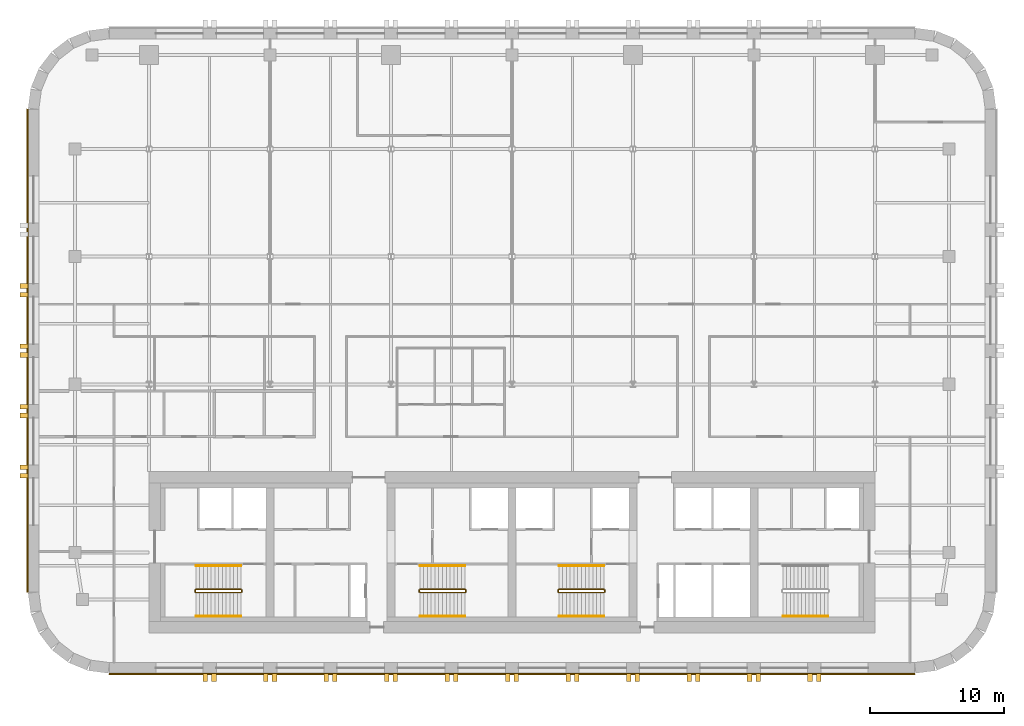
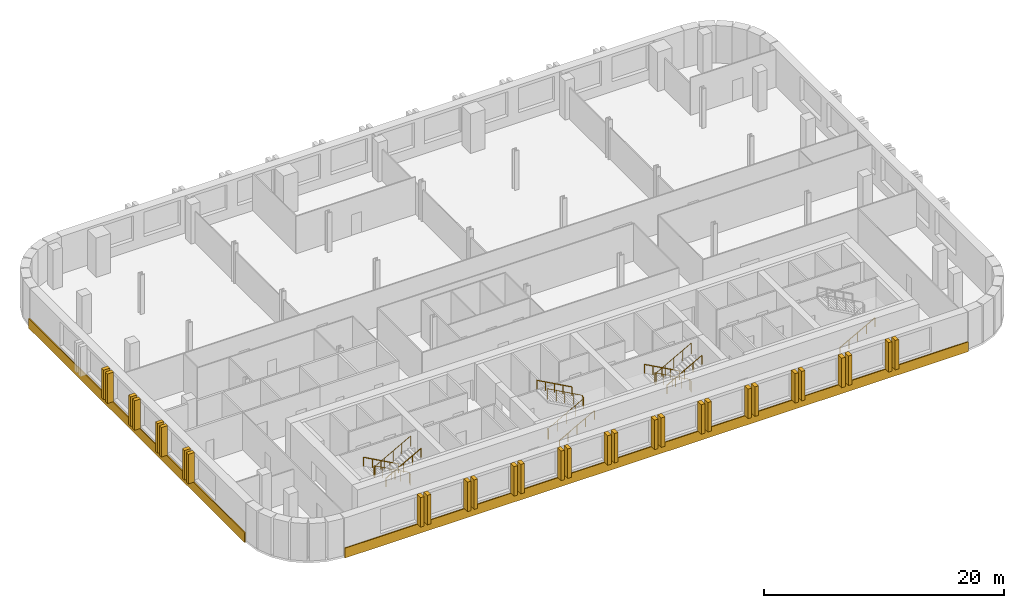
# One storey, part 9 of 10: 32 coverings, 10 railings.
"""IFC4 building model written with IfcOpenShell, lengths in metres."""

import ifcopenshell
import ifcopenshell.guid

model = None  # the IFC model being written
_history = None  # IfcOwnerHistory: only IFC2X3 demands one
_inside = {}  # id of a spatial element -> (the spatial element, [elements in it])
_under = {}  # id of a project, library or spatial element -> (it, [spatial elements below it])
_declared = {}  # id of a project -> (the project, [libraries it declares])
_typed = {}  # id of a type object -> (the type object, [elements of that type])
_made_of = {}  # id of a material, layer set ... -> (it, [elements and type objects made of it])


def new_model(schema):
    """Start an empty IFC model of exactly this schema.

    Asked for "IFC4X3", IfcOpenShell would pick the latest addendum, in which some entities
    have other attributes; the version numbers below select the first issue.
    IFC2X3 requires an IfcOwnerHistory on every rooted entity: one is made here for all.
    """
    global model, _history
    if schema == "IFC4X3":
        model = ifcopenshell.file(schema_version=(4, 3, 0, 0))
    else:
        model = ifcopenshell.file(schema=schema)
    _inside.clear()
    _under.clear()
    _declared.clear()
    _typed.clear()
    _made_of.clear()
    _history = None
    if model.schema == "IFC2X3":
        org = make("IfcOrganization", Name="unknown")
        user = make(
            "IfcPersonAndOrganization",
            ThePerson=make("IfcPerson", FamilyName="unknown"),
            TheOrganization=org,
        )
        app = make(
            "IfcApplication",
            ApplicationDeveloper=org,
            Version="unknown",
            ApplicationFullName="unknown",
            ApplicationIdentifier="unknown",
        )
        _history = make(
            "IfcOwnerHistory",
            OwningUser=user,
            OwningApplication=app,
            ChangeAction="ADDED",
            CreationDate=0,
        )
    return model


def make(cls, **values):
    """One entity of the class cls with the attributes given. An attribute that is None is left unset."""
    return model.create_entity(
        cls, **{name: value for name, value in values.items() if value is not None}
    )


def rooted(cls, **values):
    """An entity with a GlobalId (a new one), such as an element, a storey or a relation."""
    return make(cls, GlobalId=ifcopenshell.guid.new(), OwnerHistory=_history, **values)


def si_unit(unit_type, name, prefix=None):
    """IfcSIUnit, for example si_unit("LENGTHUNIT", "METRE", prefix="MILLI")."""
    return make("IfcSIUnit", UnitType=unit_type, Prefix=prefix, Name=name)


def assignment(units):
    """IfcUnitAssignment: the units of a project."""
    return None if units is None else make("IfcUnitAssignment", Units=units)


def point(xyz):
    """IfcCartesianPoint."""
    return None if xyz is None else make("IfcCartesianPoint", Coordinates=xyz)


def direction(xyz):
    """IfcDirection."""
    return None if xyz is None else make("IfcDirection", DirectionRatios=xyz)


def frame(location, z_axis=None, x_axis=None):
    """IfcAxis2Placement3D, a coordinate frame: its origin and axes. An axis left out is left unset."""
    return make(
        "IfcAxis2Placement3D",
        Location=point(location),
        Axis=direction(z_axis),
        RefDirection=direction(x_axis),
    )


def frame_2d(location, x_axis=None):
    """IfcAxis2Placement2D, a coordinate frame in the plane: its origin and x axis."""
    return make(
        "IfcAxis2Placement2D", Location=point(location), RefDirection=direction(x_axis)
    )


def origin():
    """The frame at (0, 0, 0) with its axes left unset."""
    return frame((0.0, 0.0, 0.0))


def origin_2d():
    """The frame at (0, 0) in the plane with its x axis left unset."""
    return frame_2d((0.0, 0.0))


def place(relative_to, where):
    """IfcLocalPlacement: puts the frame where relative to a parent placement (None: the world)."""
    return make(
        "IfcLocalPlacement", PlacementRelTo=relative_to, RelativePlacement=where
    )


def context(
    kind, dimensions, precision=None, world=None, true_north=None, identifier=None
):
    """IfcGeometricRepresentationContext, for example the 3D "Model" context."""
    return make(
        "IfcGeometricRepresentationContext",
        ContextIdentifier=identifier,
        ContextType=kind,
        CoordinateSpaceDimension=dimensions,
        Precision=precision,
        WorldCoordinateSystem=world,
        TrueNorth=true_north,
    )


def subcontext(parent, identifier, kind, view, scale=None):
    """IfcGeometricRepresentationSubContext, for example "Body" below "Model"."""
    return make(
        "IfcGeometricRepresentationSubContext",
        ContextIdentifier=identifier,
        ContextType=kind,
        ParentContext=parent,
        TargetScale=scale,
        TargetView=view,
    )


def project(units=None, contexts=None):
    """IfcProject with its units and contexts."""
    return rooted(
        "IfcProject",
        Name="project",
        RepresentationContexts=contexts,
        UnitsInContext=assignment(units),
    )


def spatial(cls, under=None, at=None, **own):
    """A site, building, storey or space (cls), placed at a placement, below another one or the project."""
    s = rooted(cls, ObjectPlacement=at, **own)
    if under is not None:
        _under.setdefault(under.id(), (under, []))[1].append(s)
    return s


def polyline(points):
    """IfcPolyline through the points."""
    return make("IfcPolyline", Points=[point(p) for p in points])


def profile(cls, at=None, kind="AREA", **sizes):
    """A parametric profile (cls). Its sizes go by their IFC names, for example OverallWidth=200.0."""
    return make(cls, ProfileType=kind, Position=at, **sizes)


def circle(**sizes):
    """IfcCircleProfileDef."""
    return profile("IfcCircleProfileDef", **sizes)


def outline(outer, holes=None, kind="AREA"):
    """IfcArbitraryClosedProfileDef: a profile drawn as a closed curve; with holes, ...WithVoids."""
    if holes is None:
        return make("IfcArbitraryClosedProfileDef", ProfileType=kind, OuterCurve=outer)
    return make(
        "IfcArbitraryProfileDefWithVoids",
        ProfileType=kind,
        OuterCurve=outer,
        InnerCurves=holes,
    )


def extrude(swept, where, along, depth):
    """IfcExtrudedAreaSolid: the profile swept, set in the frame where, extruded along a direction by depth."""
    return make(
        "IfcExtrudedAreaSolid",
        SweptArea=swept,
        Position=where,
        ExtrudedDirection=direction(along),
        Depth=depth,
    )


def shape(context_of_items, identifier, shape_type, items):
    """IfcShapeRepresentation: the items that make up one representation, for example the "Body"."""
    return make(
        "IfcShapeRepresentation",
        ContextOfItems=context_of_items,
        RepresentationIdentifier=identifier,
        RepresentationType=shape_type,
        Items=items,
    )


def material(Name=None, Category=None):
    """IfcMaterial."""
    return make("IfcMaterial", Name=Name, Category=Category)


def layer(
    of_material, thickness, ventilated=None, Name=None, Category=None, Priority=None
):
    """IfcMaterialLayer: one layer of a wall or slab, of a material (None: an air gap)."""
    return make(
        "IfcMaterialLayer",
        Material=of_material,
        LayerThickness=thickness,
        IsVentilated=ventilated,
        Name=Name,
        Category=Category,
        Priority=Priority,
    )


def layer_set(layers, Name=None):
    """IfcMaterialLayerSet."""
    return make("IfcMaterialLayerSet", MaterialLayers=layers, LayerSetName=Name)


def made_of(thing, what):
    """Note that an element or type object is made of a material, layer set ...; save() writes the relation."""
    if what is not None:
        _made_of.setdefault(what.id(), (what, []))[1].append(thing)
    return thing


def type_object(cls, material=None, **own):
    """A type object (cls), such as IfcWallType, which elements share."""
    return made_of(rooted(cls, **own), material)


def element(
    cls,
    number,
    at=None,
    inside=None,
    cuts=None,
    type_object=None,
    material=None,
    context=None,
    identifier="Body",
    shape_type=None,
    held_by="IfcProductDefinitionShape",
    body=None,
    shapes=None,
    **own,
):
    """One element of the class cls, such as IfcWall. Its Tag is "e" and its number.

    at: its placement. inside: the storey or other place that contains it. cuts: it is an
    opening in that element (IfcRelVoidsElement). A single representation is given by context,
    identifier, shape_type and body (its items); several are given by shapes. held_by: the class
    of the entity that holds the representations. save() writes the other relations.
    """
    e = rooted(cls, Tag="e%d" % number, ObjectPlacement=at, **own)
    if body is not None:
        shapes = [shape(context, identifier, shape_type, body)]
    if shapes is not None:
        e.Representation = make(held_by, Representations=shapes)
    if inside is not None:
        _inside.setdefault(inside.id(), (inside, []))[1].append(e)
    if cuts is not None:
        rooted(
            "IfcRelVoidsElement", RelatingBuildingElement=cuts, RelatedOpeningElement=e
        )
    if type_object is not None:
        _typed.setdefault(type_object.id(), (type_object, []))[1].append(e)
    return made_of(e, material)


def aggregate(whole, parts):
    """IfcRelAggregates: a whole, such as a stair, and the parts it consists of."""
    return rooted("IfcRelAggregates", RelatingObject=whole, RelatedObjects=parts)


def save(model, path):
    """Write the relations noted so far, then the file.

    IfcRelAggregates (storeys below a building ...), IfcRelContainedInSpatialStructure (elements
    in a storey), IfcRelDefinesByType, IfcRelAssociatesMaterial and IfcRelDeclares: one each for
    every whole, place, type object, material and project.
    """
    for whole, parts in _under.values():
        aggregate(whole, parts)
    for where, things in _inside.values():
        rooted(
            "IfcRelContainedInSpatialStructure",
            RelatedElements=things,
            RelatingStructure=where,
        )
    for kind, things in _typed.values():
        rooted("IfcRelDefinesByType", RelatedObjects=things, RelatingType=kind)
    for what, things in _made_of.values():
        rooted("IfcRelAssociatesMaterial", RelatedObjects=things, RelatingMaterial=what)
    for by, libraries in _declared.values():
        rooted("IfcRelDeclares", RelatingContext=by, RelatedDefinitions=libraries)
    model.write(path)


model = new_model("IFC4")

# Units and contexts
model_context = context("Model", 3, precision=1e-05, world=origin(), true_north=direction((0.0, 1.0)))
body_context = subcontext(model_context, "Body", "Model", "MODEL_VIEW")
ifc_project = project(units=[si_unit("LENGTHUNIT", "METRE"), si_unit("AREAUNIT", "SQUARE_METRE"), si_unit("VOLUMEUNIT", "CUBIC_METRE"), si_unit("PLANEANGLEUNIT", "RADIAN"), si_unit("MASSUNIT", "GRAM", prefix="KILO")], contexts=[model_context])

# Site, building, storey
site_placement = place(None, origin())
site = spatial("IfcSite", under=ifc_project, at=site_placement, CompositionType="ELEMENT")
building_placement = place(site_placement, origin())
building = spatial("IfcBuilding", under=site, at=building_placement, Name="Zellij Exchange Tower", CompositionType="ELEMENT")
storey_placement = place(building_placement, frame((0.0, 0.0, 192.5)))
storey = spatial("IfcBuildingStorey", under=building, at=storey_placement, Name="L44", CompositionType="ELEMENT", Elevation=192.5)

# Railings
ifc_material_1 = material(Name="Stainless steel", Category="steel")
railing_type_1 = type_object("IfcRailingType", Name="CORE-RG stair guard", PredefinedType="GUARDRAIL", material=ifc_material_1)
railing_1_placement = place(storey_placement, frame((-20.10009765625, -10.800048828125, 0.0)))
element("IfcRailing", 1, at=railing_1_placement, inside=storey, type_object=railing_type_1, Name="ST1 stair guard L44", PredefinedType="GUARDRAIL", context=body_context, shape_type="SweptSolid", body=[
    extrude(circle(Radius=0.02392578125, at=origin_2d()), frame((0.0, 0.0, 1.076171875), z_axis=(0.0, -1.0, 0.0), x_axis=(1.0, 0.0, 0.0)), (0.0, 0.0, 1.0), 0.14990234375),
    extrude(circle(Radius=0.02392578125, at=origin_2d()), frame((0.0, -0.14990234375, 1.076171875), z_axis=(-0.193691321961, 0.777613689637, 0.598164376644), x_axis=(-0.970351222016, -0.241699205484, 0.0)), (0.0, 0.0, 1.0), 0.257080078125),
    extrude(circle(Radius=0.02392578125, at=origin_2d()), frame((-0.0498046875, 0.050048828125, 1.22998046875), z_axis=(-0.876421534553, 0.0, 0.481544695509), x_axis=(0.0, -1.0, 0.0)), (0.0, 0.0, 1.0), 3.833984375),
    extrude(circle(Radius=0.02392578125, at=origin_2d()), frame((-3.409912109375, 0.050048828125, 3.076171875), z_axis=(-0.707106781187, -0.707106781187, 0.0), x_axis=(0.707106781187, -0.707106781187, 0.0)), (0.0, 0.0, 1.0), 0.07080078125),
    extrude(circle(Radius=0.02392578125, at=origin_2d()), frame((-3.4599609375, 0.0, 3.076171875), z_axis=(0.0, -1.0, 0.0), x_axis=(1.0, 0.0, 0.0)), (0.0, 0.0, 1.0), 0.14990234375),
    extrude(circle(Radius=0.02392578125, at=origin_2d()), frame((-3.4599609375, -0.14990234375, 3.076171875), z_axis=(0.295599637079, -0.295599637079, 0.908428152975), x_axis=(0.707106781187, 0.707106781187, 0.0)), (0.0, 0.0, 1.0), 0.16943359375),
    extrude(circle(Radius=0.02392578125, at=origin_2d()), frame((-3.409912109375, -0.199951171875, 3.22998046875), z_axis=(0.876421534553, 0.0, 0.481544695509), x_axis=(0.0, 1.0, 0.0)), (0.0, 0.0, 1.0), 3.833984375),
    extrude(circle(Radius=0.02099609375, at=origin_2d()), origin(), (0.0, 0.0, 1.0), 1.052001953125),
    extrude(circle(Radius=0.02099609375, at=origin_2d()), frame((0.0, -0.14990234375, 0.0)), (0.0, 0.0, 1.0), 1.052001953125),
    extrude(circle(Radius=0.02099609375, at=origin_2d()), frame((-0.0498046875, 0.050048828125, 0.15380859375)), (0.0, 0.0, 1.0), 1.052001953125),
    extrude(circle(Radius=0.02099609375, at=origin_2d()), frame((-0.889892578125, 0.050048828125, 0.615234375)), (0.0, 0.0, 1.0), 1.052001953125),
    extrude(circle(Radius=0.02099609375, at=origin_2d()), frame((-1.72998046875, 0.050048828125, 1.076904296875)), (0.0, 0.0, 1.0), 1.052001953125),
    extrude(circle(Radius=0.02099609375, at=origin_2d()), frame((-2.56982421875, 0.050048828125, 1.53857421875)), (0.0, 0.0, 1.0), 1.052001953125),
    extrude(circle(Radius=0.02099609375, at=origin_2d()), frame((-3.409912109375, 0.050048828125, 2.0)), (0.0, 0.0, 1.0), 1.052001953125),
    extrude(circle(Radius=0.02099609375, at=origin_2d()), frame((-3.4599609375, 0.0, 2.0)), (0.0, 0.0, 1.0), 1.052001953125),
    extrude(circle(Radius=0.02099609375, at=origin_2d()), frame((-3.4599609375, -0.14990234375, 2.0)), (0.0, 0.0, 1.0), 1.052001953125),
    extrude(circle(Radius=0.02099609375, at=origin_2d()), frame((-3.409912109375, -0.199951171875, 2.15380859375)), (0.0, 0.0, 1.0), 1.052001953125),
    extrude(circle(Radius=0.02099609375, at=origin_2d()), frame((-2.56982421875, -0.199951171875, 2.615234375)), (0.0, 0.0, 1.0), 1.052001953125),
    extrude(circle(Radius=0.02099609375, at=origin_2d()), frame((-1.72998046875, -0.199951171875, 3.076904296875)), (0.0, 0.0, 1.0), 1.052001953125),
    extrude(circle(Radius=0.02099609375, at=origin_2d()), frame((-0.889892578125, -0.199951171875, 3.53857421875)), (0.0, 0.0, 1.0), 1.052001953125),
    extrude(circle(Radius=0.02099609375, at=origin_2d()), frame((-0.0498046875, -0.199951171875, 4.0)), (0.0, 0.0, 1.0), 1.052001953125),
])
railing_2_placement = place(storey_placement, frame((-6.89990234375, -10.949951171875, 0.0)))
element("IfcRailing", 2, at=railing_2_placement, inside=storey, type_object=railing_type_1, Name="ST2 stair guard L44", PredefinedType="GUARDRAIL", context=body_context, shape_type="SweptSolid", body=[
    extrude(circle(Radius=0.02392578125, at=origin_2d()), frame((0.0, 0.0, 1.076171875), z_axis=(0.0, 1.0, 0.0), x_axis=(-1.0, 0.0, 0.0)), (0.0, 0.0, 1.0), 0.14990234375),
    extrude(circle(Radius=0.02392578125, at=origin_2d()), frame((0.0, 0.14990234375, 1.076171875), z_axis=(0.193691321961, -0.777613689637, 0.598164376644), x_axis=(0.970351222016, 0.241699205484, 0.0)), (0.0, 0.0, 1.0), 0.257080078125),
    extrude(circle(Radius=0.02392578125, at=origin_2d()), frame((0.0498046875, -0.050048828125, 1.22998046875), z_axis=(0.876421534553, 0.0, 0.481544695509), x_axis=(0.0, 1.0, 0.0)), (0.0, 0.0, 1.0), 3.833984375),
    extrude(circle(Radius=0.02392578125, at=origin_2d()), frame((3.409912109375, -0.050048828125, 3.076171875), z_axis=(0.707106781187, 0.707106781187, 0.0), x_axis=(-0.707106781187, 0.707106781187, 0.0)), (0.0, 0.0, 1.0), 0.07080078125),
    extrude(circle(Radius=0.02392578125, at=origin_2d()), frame((3.4599609375, 0.0, 3.076171875), z_axis=(0.0, 1.0, 0.0), x_axis=(-1.0, 0.0, 0.0)), (0.0, 0.0, 1.0), 0.14990234375),
    extrude(circle(Radius=0.02392578125, at=origin_2d()), frame((3.4599609375, 0.14990234375, 3.076171875), z_axis=(-0.295599637079, 0.295599637079, 0.908428152975), x_axis=(-0.707106781187, -0.707106781187, 0.0)), (0.0, 0.0, 1.0), 0.16943359375),
    extrude(circle(Radius=0.02392578125, at=origin_2d()), frame((3.409912109375, 0.199951171875, 3.22998046875), z_axis=(-0.876421534553, 0.0, 0.481544695509), x_axis=(0.0, -1.0, 0.0)), (0.0, 0.0, 1.0), 3.833984375),
    extrude(circle(Radius=0.02099609375, at=origin_2d()), origin(), (0.0, 0.0, 1.0), 1.052001953125),
    extrude(circle(Radius=0.02099609375, at=origin_2d()), frame((0.0, 0.14990234375, 0.0)), (0.0, 0.0, 1.0), 1.052001953125),
    extrude(circle(Radius=0.02099609375, at=origin_2d()), frame((0.0498046875, -0.050048828125, 0.15380859375)), (0.0, 0.0, 1.0), 1.052001953125),
    extrude(circle(Radius=0.02099609375, at=origin_2d()), frame((0.889892578125, -0.050048828125, 0.615234375)), (0.0, 0.0, 1.0), 1.052001953125),
    extrude(circle(Radius=0.02099609375, at=origin_2d()), frame((1.72998046875, -0.050048828125, 1.076904296875)), (0.0, 0.0, 1.0), 1.052001953125),
    extrude(circle(Radius=0.02099609375, at=origin_2d()), frame((2.56982421875, -0.050048828125, 1.53857421875)), (0.0, 0.0, 1.0), 1.052001953125),
    extrude(circle(Radius=0.02099609375, at=origin_2d()), frame((3.409912109375, -0.050048828125, 2.0)), (0.0, 0.0, 1.0), 1.052001953125),
    extrude(circle(Radius=0.02099609375, at=origin_2d()), frame((3.4599609375, 0.0, 2.0)), (0.0, 0.0, 1.0), 1.052001953125),
    extrude(circle(Radius=0.02099609375, at=origin_2d()), frame((3.4599609375, 0.14990234375, 2.0)), (0.0, 0.0, 1.0), 1.052001953125),
    extrude(circle(Radius=0.02099609375, at=origin_2d()), frame((3.409912109375, 0.199951171875, 2.15380859375)), (0.0, 0.0, 1.0), 1.052001953125),
    extrude(circle(Radius=0.02099609375, at=origin_2d()), frame((2.56982421875, 0.199951171875, 2.615234375)), (0.0, 0.0, 1.0), 1.052001953125),
    extrude(circle(Radius=0.02099609375, at=origin_2d()), frame((1.72998046875, 0.199951171875, 3.076904296875)), (0.0, 0.0, 1.0), 1.052001953125),
    extrude(circle(Radius=0.02099609375, at=origin_2d()), frame((0.889892578125, 0.199951171875, 3.53857421875)), (0.0, 0.0, 1.0), 1.052001953125),
    extrude(circle(Radius=0.02099609375, at=origin_2d()), frame((0.0498046875, 0.199951171875, 4.0)), (0.0, 0.0, 1.0), 1.052001953125),
])
railing_3_placement = place(storey_placement, frame((6.89990234375, -10.800048828125, 0.0)))
element("IfcRailing", 3, at=railing_3_placement, inside=storey, type_object=railing_type_1, Name="ST3 stair guard L44", PredefinedType="GUARDRAIL", context=body_context, shape_type="SweptSolid", body=[
    extrude(circle(Radius=0.02392578125, at=origin_2d()), frame((0.0, 0.0, 1.076171875), z_axis=(0.0, -1.0, 0.0), x_axis=(1.0, 0.0, 0.0)), (0.0, 0.0, 1.0), 0.14990234375),
    extrude(circle(Radius=0.02392578125, at=origin_2d()), frame((0.0, -0.14990234375, 1.076171875), z_axis=(-0.193691321961, 0.777613689637, 0.598164376644), x_axis=(-0.970351222016, -0.241699205484, 0.0)), (0.0, 0.0, 1.0), 0.257080078125),
    extrude(circle(Radius=0.02392578125, at=origin_2d()), frame((-0.0498046875, 0.050048828125, 1.22998046875), z_axis=(-0.876421534553, 0.0, 0.481544695509), x_axis=(0.0, -1.0, 0.0)), (0.0, 0.0, 1.0), 3.833984375),
    extrude(circle(Radius=0.02392578125, at=origin_2d()), frame((-3.409912109375, 0.050048828125, 3.076171875), z_axis=(-0.707106781187, -0.707106781187, 0.0), x_axis=(0.707106781187, -0.707106781187, 0.0)), (0.0, 0.0, 1.0), 0.07080078125),
    extrude(circle(Radius=0.02392578125, at=origin_2d()), frame((-3.4599609375, 0.0, 3.076171875), z_axis=(0.0, -1.0, 0.0), x_axis=(1.0, 0.0, 0.0)), (0.0, 0.0, 1.0), 0.14990234375),
    extrude(circle(Radius=0.02392578125, at=origin_2d()), frame((-3.4599609375, -0.14990234375, 3.076171875), z_axis=(0.295599637079, -0.295599637079, 0.908428152975), x_axis=(0.707106781187, 0.707106781187, 0.0)), (0.0, 0.0, 1.0), 0.16943359375),
    extrude(circle(Radius=0.02392578125, at=origin_2d()), frame((-3.409912109375, -0.199951171875, 3.22998046875), z_axis=(0.876421534553, 0.0, 0.481544695509), x_axis=(0.0, 1.0, 0.0)), (0.0, 0.0, 1.0), 3.833984375),
    extrude(circle(Radius=0.02099609375, at=origin_2d()), origin(), (0.0, 0.0, 1.0), 1.052001953125),
    extrude(circle(Radius=0.02099609375, at=origin_2d()), frame((0.0, -0.14990234375, 0.0)), (0.0, 0.0, 1.0), 1.052001953125),
    extrude(circle(Radius=0.02099609375, at=origin_2d()), frame((-0.0498046875, 0.050048828125, 0.15380859375)), (0.0, 0.0, 1.0), 1.052001953125),
    extrude(circle(Radius=0.02099609375, at=origin_2d()), frame((-0.889892578125, 0.050048828125, 0.615234375)), (0.0, 0.0, 1.0), 1.052001953125),
    extrude(circle(Radius=0.02099609375, at=origin_2d()), frame((-1.72998046875, 0.050048828125, 1.076904296875)), (0.0, 0.0, 1.0), 1.052001953125),
    extrude(circle(Radius=0.02099609375, at=origin_2d()), frame((-2.56982421875, 0.050048828125, 1.53857421875)), (0.0, 0.0, 1.0), 1.052001953125),
    extrude(circle(Radius=0.02099609375, at=origin_2d()), frame((-3.409912109375, 0.050048828125, 2.0)), (0.0, 0.0, 1.0), 1.052001953125),
    extrude(circle(Radius=0.02099609375, at=origin_2d()), frame((-3.4599609375, 0.0, 2.0)), (0.0, 0.0, 1.0), 1.052001953125),
    extrude(circle(Radius=0.02099609375, at=origin_2d()), frame((-3.4599609375, -0.14990234375, 2.0)), (0.0, 0.0, 1.0), 1.052001953125),
    extrude(circle(Radius=0.02099609375, at=origin_2d()), frame((-3.409912109375, -0.199951171875, 2.15380859375)), (0.0, 0.0, 1.0), 1.052001953125),
    extrude(circle(Radius=0.02099609375, at=origin_2d()), frame((-2.56982421875, -0.199951171875, 2.615234375)), (0.0, 0.0, 1.0), 1.052001953125),
    extrude(circle(Radius=0.02099609375, at=origin_2d()), frame((-1.72998046875, -0.199951171875, 3.076904296875)), (0.0, 0.0, 1.0), 1.052001953125),
    extrude(circle(Radius=0.02099609375, at=origin_2d()), frame((-0.889892578125, -0.199951171875, 3.53857421875)), (0.0, 0.0, 1.0), 1.052001953125),
    extrude(circle(Radius=0.02099609375, at=origin_2d()), frame((-0.0498046875, -0.199951171875, 4.0)), (0.0, 0.0, 1.0), 1.052001953125),
])
railing_type_2 = type_object("IfcRailingType", Name="CORE-RH stair handrail", PredefinedType="HANDRAIL", material=ifc_material_1)
railing_4_placement = place(storey_placement, frame((-20.14990234375, -9.0, 0.15380859375)))
element("IfcRailing", 4, at=railing_4_placement, inside=storey, type_object=railing_type_2, Name="ST1 stair handrail L44", PredefinedType="HANDRAIL", context=body_context, shape_type="SweptSolid", body=[
    extrude(circle(Radius=0.02392578125, at=origin_2d()), frame((0.0, 0.0, 0.8759765625), z_axis=(-0.876421534553, 0.0, 0.481544695509), x_axis=(0.0, -1.0, 0.0)), (0.0, 0.0, 1.0), 3.833984375),
    extrude(circle(Radius=0.02099609375, at=origin_2d()), origin(), (0.0, 0.0, 1.0), 0.851806640625),
    extrude(circle(Radius=0.02099609375, at=origin_2d()), frame((-0.840087890625, 0.0, 0.46142578125)), (0.0, 0.0, 1.0), 0.851806640625),
    extrude(circle(Radius=0.02099609375, at=origin_2d()), frame((-1.68017578125, 0.0, 0.923095703125)), (0.0, 0.0, 1.0), 0.851806640625),
    extrude(circle(Radius=0.02099609375, at=origin_2d()), frame((-2.52001953125, 0.0, 1.384765625)), (0.0, 0.0, 1.0), 0.851806640625),
    extrude(circle(Radius=0.02099609375, at=origin_2d()), frame((-3.360107421875, 0.0, 1.84619140625)), (0.0, 0.0, 1.0), 0.851806640625),
])
for number, where, name in (
    (5, (-23.510009765625, -12.75, 2.15380859375), "ST1 stair handrail L44"),
    (6, (-6.85009765625, -12.75, 0.15380859375), "ST2 stair handrail L44"),
):
    element("IfcRailing", number, at=place(storey_placement, frame(where)), inside=storey, type_object=railing_type_2, Name=name, PredefinedType="HANDRAIL", context=body_context, shape_type="SweptSolid", body=[
        extrude(circle(Radius=0.02392578125, at=origin_2d()), frame((0.0, 0.0, 0.8759765625), z_axis=(0.876421534553, 0.0, 0.481544695509), x_axis=(0.0, 1.0, 0.0)), (0.0, 0.0, 1.0), 3.833984375),
        extrude(circle(Radius=0.02099609375, at=origin_2d()), origin(), (0.0, 0.0, 1.0), 0.851806640625),
        extrude(circle(Radius=0.02099609375, at=origin_2d()), frame((0.840087890625, 0.0, 0.46142578125)), (0.0, 0.0, 1.0), 0.851806640625),
        extrude(circle(Radius=0.02099609375, at=origin_2d()), frame((1.68017578125, 0.0, 0.923095703125)), (0.0, 0.0, 1.0), 0.851806640625),
        extrude(circle(Radius=0.02099609375, at=origin_2d()), frame((2.52001953125, 0.0, 1.384765625)), (0.0, 0.0, 1.0), 0.851806640625),
        extrude(circle(Radius=0.02099609375, at=origin_2d()), frame((3.360107421875, 0.0, 1.84619140625)), (0.0, 0.0, 1.0), 0.851806640625),
    ])
for number, where, name in (
    (7, (-3.489990234375, -9.0, 2.15380859375), "ST2 stair handrail L44"),
    (8, (6.85009765625, -9.0, 0.15380859375), "ST3 stair handrail L44"),
):
    element("IfcRailing", number, at=place(storey_placement, frame(where)), inside=storey, type_object=railing_type_2, Name=name, PredefinedType="HANDRAIL", context=body_context, shape_type="SweptSolid", body=[
        extrude(circle(Radius=0.02392578125, at=origin_2d()), frame((0.0, 0.0, 0.8759765625), z_axis=(-0.876421534553, 0.0, 0.481544695509), x_axis=(0.0, -1.0, 0.0)), (0.0, 0.0, 1.0), 3.833984375),
        extrude(circle(Radius=0.02099609375, at=origin_2d()), origin(), (0.0, 0.0, 1.0), 0.851806640625),
        extrude(circle(Radius=0.02099609375, at=origin_2d()), frame((-0.840087890625, 0.0, 0.46142578125)), (0.0, 0.0, 1.0), 0.851806640625),
        extrude(circle(Radius=0.02099609375, at=origin_2d()), frame((-1.68017578125, 0.0, 0.923095703125)), (0.0, 0.0, 1.0), 0.851806640625),
        extrude(circle(Radius=0.02099609375, at=origin_2d()), frame((-2.52001953125, 0.0, 1.384765625)), (0.0, 0.0, 1.0), 0.851806640625),
        extrude(circle(Radius=0.02099609375, at=origin_2d()), frame((-3.360107421875, 0.0, 1.84619140625)), (0.0, 0.0, 1.0), 0.851806640625),
    ])
for number, where, name in (
    (9, (3.489990234375, -12.75, 2.15380859375), "ST3 stair handrail L44"),
    (10, (20.14990234375, -12.75, 0.15380859375), "ST4 stair handrail L44"),
):
    element("IfcRailing", number, at=place(storey_placement, frame(where)), inside=storey, type_object=railing_type_2, Name=name, PredefinedType="HANDRAIL", context=body_context, shape_type="SweptSolid", body=[
        extrude(circle(Radius=0.02392578125, at=origin_2d()), frame((0.0, 0.0, 0.8759765625), z_axis=(0.876421534553, 0.0, 0.481544695509), x_axis=(0.0, 1.0, 0.0)), (0.0, 0.0, 1.0), 3.833984375),
        extrude(circle(Radius=0.02099609375, at=origin_2d()), origin(), (0.0, 0.0, 1.0), 0.851806640625),
        extrude(circle(Radius=0.02099609375, at=origin_2d()), frame((0.840087890625, 0.0, 0.46142578125)), (0.0, 0.0, 1.0), 0.851806640625),
        extrude(circle(Radius=0.02099609375, at=origin_2d()), frame((1.68017578125, 0.0, 0.923095703125)), (0.0, 0.0, 1.0), 0.851806640625),
        extrude(circle(Radius=0.02099609375, at=origin_2d()), frame((2.52001953125, 0.0, 1.384765625)), (0.0, 0.0, 1.0), 0.851806640625),
        extrude(circle(Radius=0.02099609375, at=origin_2d()), frame((3.360107421875, 0.0, 1.84619140625)), (0.0, 0.0, 1.0), 0.851806640625),
    ])

# Coverings
ifc_material_2 = material(Name="Limestone cladding", Category="masonry")
covering_type_1 = type_object("IfcCoveringType", Name="ENV-CV3 Stone pier 350x600", PredefinedType="CLADDING", material=ifc_material_2)
covering_1_placement = place(storey_placement, frame((0.0, 0.0, 0.800048828125)))
element("IfcCovering", 11, at=covering_1_placement, inside=storey, type_object=covering_type_1, Name="Stone pier", PredefinedType="CLADDING", context=body_context, shape_type="SweptSolid", body=[
    extrude(outline(polyline([(-23.0, -17.0), (-22.64990234375, -17.0), (-22.64990234375, -17.60009765625), (-23.0, -17.60009765625), (-23.0, -17.0)])), origin(), (0.0, 0.0, 1.0), 3.0),
])
covering_2_placement = place(storey_placement, frame((0.0, 0.0, 0.800048828125)))
element("IfcCovering", 12, at=covering_2_placement, inside=storey, type_object=covering_type_1, Name="Stone pier", PredefinedType="CLADDING", context=body_context, shape_type="SweptSolid", body=[
    extrude(outline(polyline([(-22.35009765625, -17.0), (-22.0, -17.0), (-22.0, -17.60009765625), (-22.35009765625, -17.60009765625), (-22.35009765625, -17.0)])), origin(), (0.0, 0.0, 1.0), 3.0),
])
covering_3_placement = place(storey_placement, frame((0.0, 0.0, 0.800048828125)))
element("IfcCovering", 13, at=covering_3_placement, inside=storey, type_object=covering_type_1, Name="Stone pier", PredefinedType="CLADDING", context=body_context, shape_type="SweptSolid", body=[
    extrude(outline(polyline([(-18.5, -17.0), (-18.14990234375, -17.0), (-18.14990234375, -17.60009765625), (-18.5, -17.60009765625), (-18.5, -17.0)])), origin(), (0.0, 0.0, 1.0), 3.0),
])
covering_4_placement = place(storey_placement, frame((0.0, 0.0, 0.800048828125)))
element("IfcCovering", 14, at=covering_4_placement, inside=storey, type_object=covering_type_1, Name="Stone pier", PredefinedType="CLADDING", context=body_context, shape_type="SweptSolid", body=[
    extrude(outline(polyline([(-17.85009765625, -17.0), (-17.5, -17.0), (-17.5, -17.60009765625), (-17.85009765625, -17.60009765625), (-17.85009765625, -17.0)])), origin(), (0.0, 0.0, 1.0), 3.0),
])
covering_5_placement = place(storey_placement, frame((0.0, 0.0, 0.800048828125)))
element("IfcCovering", 15, at=covering_5_placement, inside=storey, type_object=covering_type_1, Name="Stone pier", PredefinedType="CLADDING", context=body_context, shape_type="SweptSolid", body=[
    extrude(outline(polyline([(-14.0, -17.0), (-13.64990234375, -17.0), (-13.64990234375, -17.60009765625), (-14.0, -17.60009765625), (-14.0, -17.0)])), origin(), (0.0, 0.0, 1.0), 3.0),
])
covering_6_placement = place(storey_placement, frame((0.0, 0.0, 0.800048828125)))
element("IfcCovering", 16, at=covering_6_placement, inside=storey, type_object=covering_type_1, Name="Stone pier", PredefinedType="CLADDING", context=body_context, shape_type="SweptSolid", body=[
    extrude(outline(polyline([(-13.35009765625, -17.0), (-13.0, -17.0), (-13.0, -17.60009765625), (-13.35009765625, -17.60009765625), (-13.35009765625, -17.0)])), origin(), (0.0, 0.0, 1.0), 3.0),
])
covering_7_placement = place(storey_placement, frame((0.0, 0.0, 0.800048828125)))
element("IfcCovering", 17, at=covering_7_placement, inside=storey, type_object=covering_type_1, Name="Stone pier", PredefinedType="CLADDING", context=body_context, shape_type="SweptSolid", body=[
    extrude(outline(polyline([(-9.5, -17.0), (-9.14990234375, -17.0), (-9.14990234375, -17.60009765625), (-9.5, -17.60009765625), (-9.5, -17.0)])), origin(), (0.0, 0.0, 1.0), 3.0),
])
covering_8_placement = place(storey_placement, frame((0.0, 0.0, 0.800048828125)))
element("IfcCovering", 18, at=covering_8_placement, inside=storey, type_object=covering_type_1, Name="Stone pier", PredefinedType="CLADDING", context=body_context, shape_type="SweptSolid", body=[
    extrude(outline(polyline([(-8.85009765625, -17.0), (-8.5, -17.0), (-8.5, -17.60009765625), (-8.85009765625, -17.60009765625), (-8.85009765625, -17.0)])), origin(), (0.0, 0.0, 1.0), 3.0),
])
covering_9_placement = place(storey_placement, frame((0.0, 0.0, 0.800048828125)))
element("IfcCovering", 19, at=covering_9_placement, inside=storey, type_object=covering_type_1, Name="Stone pier", PredefinedType="CLADDING", context=body_context, shape_type="SweptSolid", body=[
    extrude(outline(polyline([(-5.0, -17.0), (-4.64990234375, -17.0), (-4.64990234375, -17.60009765625), (-5.0, -17.60009765625), (-5.0, -17.0)])), origin(), (0.0, 0.0, 1.0), 3.0),
])
covering_10_placement = place(storey_placement, frame((0.0, 0.0, 0.800048828125)))
element("IfcCovering", 20, at=covering_10_placement, inside=storey, type_object=covering_type_1, Name="Stone pier", PredefinedType="CLADDING", context=body_context, shape_type="SweptSolid", body=[
    extrude(outline(polyline([(-4.35009765625, -17.0), (-4.0, -17.0), (-4.0, -17.60009765625), (-4.35009765625, -17.60009765625), (-4.35009765625, -17.0)])), origin(), (0.0, 0.0, 1.0), 3.0),
])
covering_11_placement = place(storey_placement, frame((0.0, 0.0, 0.800048828125)))
element("IfcCovering", 21, at=covering_11_placement, inside=storey, type_object=covering_type_1, Name="Stone pier", PredefinedType="CLADDING", context=body_context, shape_type="SweptSolid", body=[
    extrude(outline(polyline([(-0.5, -17.0), (-0.14990234375, -17.0), (-0.14990234375, -17.60009765625), (-0.5, -17.60009765625), (-0.5, -17.0)])), origin(), (0.0, 0.0, 1.0), 3.0),
])
covering_12_placement = place(storey_placement, frame((0.0, 0.0, 0.800048828125)))
element("IfcCovering", 22, at=covering_12_placement, inside=storey, type_object=covering_type_1, Name="Stone pier", PredefinedType="CLADDING", context=body_context, shape_type="SweptSolid", body=[
    extrude(outline(polyline([(0.14990234375, -17.0), (0.5, -17.0), (0.5, -17.60009765625), (0.14990234375, -17.60009765625), (0.14990234375, -17.0)])), origin(), (0.0, 0.0, 1.0), 3.0),
])
covering_13_placement = place(storey_placement, frame((0.0, 0.0, 0.800048828125)))
element("IfcCovering", 23, at=covering_13_placement, inside=storey, type_object=covering_type_1, Name="Stone pier", PredefinedType="CLADDING", context=body_context, shape_type="SweptSolid", body=[
    extrude(outline(polyline([(4.0, -17.0), (4.35009765625, -17.0), (4.35009765625, -17.60009765625), (4.0, -17.60009765625), (4.0, -17.0)])), origin(), (0.0, 0.0, 1.0), 3.0),
])
covering_14_placement = place(storey_placement, frame((0.0, 0.0, 0.800048828125)))
element("IfcCovering", 24, at=covering_14_placement, inside=storey, type_object=covering_type_1, Name="Stone pier", PredefinedType="CLADDING", context=body_context, shape_type="SweptSolid", body=[
    extrude(outline(polyline([(4.64990234375, -17.0), (5.0, -17.0), (5.0, -17.60009765625), (4.64990234375, -17.60009765625), (4.64990234375, -17.0)])), origin(), (0.0, 0.0, 1.0), 3.0),
])
covering_15_placement = place(storey_placement, frame((0.0, 0.0, 0.800048828125)))
element("IfcCovering", 25, at=covering_15_placement, inside=storey, type_object=covering_type_1, Name="Stone pier", PredefinedType="CLADDING", context=body_context, shape_type="SweptSolid", body=[
    extrude(outline(polyline([(8.5, -17.0), (8.85009765625, -17.0), (8.85009765625, -17.60009765625), (8.5, -17.60009765625), (8.5, -17.0)])), origin(), (0.0, 0.0, 1.0), 3.0),
])
covering_16_placement = place(storey_placement, frame((0.0, 0.0, 0.800048828125)))
element("IfcCovering", 26, at=covering_16_placement, inside=storey, type_object=covering_type_1, Name="Stone pier", PredefinedType="CLADDING", context=body_context, shape_type="SweptSolid", body=[
    extrude(outline(polyline([(9.14990234375, -17.0), (9.5, -17.0), (9.5, -17.60009765625), (9.14990234375, -17.60009765625), (9.14990234375, -17.0)])), origin(), (0.0, 0.0, 1.0), 3.0),
])
covering_17_placement = place(storey_placement, frame((0.0, 0.0, 0.800048828125)))
element("IfcCovering", 27, at=covering_17_placement, inside=storey, type_object=covering_type_1, Name="Stone pier", PredefinedType="CLADDING", context=body_context, shape_type="SweptSolid", body=[
    extrude(outline(polyline([(13.0, -17.0), (13.35009765625, -17.0), (13.35009765625, -17.60009765625), (13.0, -17.60009765625), (13.0, -17.0)])), origin(), (0.0, 0.0, 1.0), 3.0),
])
covering_18_placement = place(storey_placement, frame((0.0, 0.0, 0.800048828125)))
element("IfcCovering", 28, at=covering_18_placement, inside=storey, type_object=covering_type_1, Name="Stone pier", PredefinedType="CLADDING", context=body_context, shape_type="SweptSolid", body=[
    extrude(outline(polyline([(13.64990234375, -17.0), (14.0, -17.0), (14.0, -17.60009765625), (13.64990234375, -17.60009765625), (13.64990234375, -17.0)])), origin(), (0.0, 0.0, 1.0), 3.0),
])
covering_19_placement = place(storey_placement, frame((0.0, 0.0, 0.800048828125)))
element("IfcCovering", 29, at=covering_19_placement, inside=storey, type_object=covering_type_1, Name="Stone pier", PredefinedType="CLADDING", context=body_context, shape_type="SweptSolid", body=[
    extrude(outline(polyline([(17.5, -17.0), (17.85009765625, -17.0), (17.85009765625, -17.60009765625), (17.5, -17.60009765625), (17.5, -17.0)])), origin(), (0.0, 0.0, 1.0), 3.0),
])
covering_20_placement = place(storey_placement, frame((0.0, 0.0, 0.800048828125)))
element("IfcCovering", 30, at=covering_20_placement, inside=storey, type_object=covering_type_1, Name="Stone pier", PredefinedType="CLADDING", context=body_context, shape_type="SweptSolid", body=[
    extrude(outline(polyline([(18.14990234375, -17.0), (18.5, -17.0), (18.5, -17.60009765625), (18.14990234375, -17.60009765625), (18.14990234375, -17.0)])), origin(), (0.0, 0.0, 1.0), 3.0),
])
covering_21_placement = place(storey_placement, frame((0.0, 0.0, 0.800048828125)))
element("IfcCovering", 31, at=covering_21_placement, inside=storey, type_object=covering_type_1, Name="Stone pier", PredefinedType="CLADDING", context=body_context, shape_type="SweptSolid", body=[
    extrude(outline(polyline([(22.0, -17.0), (22.35009765625, -17.0), (22.35009765625, -17.60009765625), (22.0, -17.60009765625), (22.0, -17.0)])), origin(), (0.0, 0.0, 1.0), 3.0),
])
covering_22_placement = place(storey_placement, frame((0.0, 0.0, 0.800048828125)))
element("IfcCovering", 32, at=covering_22_placement, inside=storey, type_object=covering_type_1, Name="Stone pier", PredefinedType="CLADDING", context=body_context, shape_type="SweptSolid", body=[
    extrude(outline(polyline([(22.64990234375, -17.0), (23.0, -17.0), (23.0, -17.60009765625), (22.64990234375, -17.60009765625), (22.64990234375, -17.0)])), origin(), (0.0, 0.0, 1.0), 3.0),
])
covering_23_placement = place(storey_placement, frame((0.0, 0.0, 0.800048828125)))
element("IfcCovering", 33, at=covering_23_placement, inside=storey, type_object=covering_type_1, Name="Stone pier", PredefinedType="CLADDING", context=body_context, shape_type="SweptSolid", body=[
    extrude(outline(polyline([(-36.0, 11.993408203125), (-36.0, 11.6435546875), (-36.60009765625, 11.6435546875), (-36.60009765625, 11.993408203125), (-36.0, 11.993408203125)])), origin(), (0.0, 0.0, 1.0), 3.0),
])
covering_24_placement = place(storey_placement, frame((0.0, 0.0, 0.800048828125)))
element("IfcCovering", 34, at=covering_24_placement, inside=storey, type_object=covering_type_1, Name="Stone pier", PredefinedType="CLADDING", context=body_context, shape_type="SweptSolid", body=[
    extrude(outline(polyline([(-36.0, 11.343505859375), (-36.0, 10.993408203125), (-36.60009765625, 10.993408203125), (-36.60009765625, 11.343505859375), (-36.0, 11.343505859375)])), origin(), (0.0, 0.0, 1.0), 3.0),
])
covering_25_placement = place(storey_placement, frame((0.0, 0.0, 0.800048828125)))
element("IfcCovering", 35, at=covering_25_placement, inside=storey, type_object=covering_type_1, Name="Stone pier", PredefinedType="CLADDING", context=body_context, shape_type="SweptSolid", body=[
    extrude(outline(polyline([(-36.0, 7.5), (-36.0, 7.14990234375), (-36.60009765625, 7.14990234375), (-36.60009765625, 7.5), (-36.0, 7.5)])), origin(), (0.0, 0.0, 1.0), 3.0),
])
covering_26_placement = place(storey_placement, frame((0.0, 0.0, 0.800048828125)))
element("IfcCovering", 36, at=covering_26_placement, inside=storey, type_object=covering_type_1, Name="Stone pier", PredefinedType="CLADDING", context=body_context, shape_type="SweptSolid", body=[
    extrude(outline(polyline([(-36.0, 6.85009765625), (-36.0, 6.5), (-36.60009765625, 6.5), (-36.60009765625, 6.85009765625), (-36.0, 6.85009765625)])), origin(), (0.0, 0.0, 1.0), 3.0),
])
covering_27_placement = place(storey_placement, frame((0.0, 0.0, 0.800048828125)))
element("IfcCovering", 37, at=covering_27_placement, inside=storey, type_object=covering_type_1, Name="Stone pier", PredefinedType="CLADDING", context=body_context, shape_type="SweptSolid", body=[
    extrude(outline(polyline([(-36.0, 3.006591796875), (-36.0, 2.656494140625), (-36.60009765625, 2.656494140625), (-36.60009765625, 3.006591796875), (-36.0, 3.006591796875)])), origin(), (0.0, 0.0, 1.0), 3.0),
])
covering_28_placement = place(storey_placement, frame((0.0, 0.0, 0.800048828125)))
element("IfcCovering", 38, at=covering_28_placement, inside=storey, type_object=covering_type_1, Name="Stone pier", PredefinedType="CLADDING", context=body_context, shape_type="SweptSolid", body=[
    extrude(outline(polyline([(-36.0, 2.356689453125), (-36.0, 2.006591796875), (-36.60009765625, 2.006591796875), (-36.60009765625, 2.356689453125), (-36.0, 2.356689453125)])), origin(), (0.0, 0.0, 1.0), 3.0),
])
covering_29_placement = place(storey_placement, frame((0.0, 0.0, 0.800048828125)))
element("IfcCovering", 39, at=covering_29_placement, inside=storey, type_object=covering_type_1, Name="Stone pier", PredefinedType="CLADDING", context=body_context, shape_type="SweptSolid", body=[
    extrude(outline(polyline([(-36.0, -1.48681640625), (-36.0, -1.8369140625), (-36.60009765625, -1.8369140625), (-36.60009765625, -1.48681640625), (-36.0, -1.48681640625)])), origin(), (0.0, 0.0, 1.0), 3.0),
])
covering_30_placement = place(storey_placement, frame((0.0, 0.0, 0.800048828125)))
element("IfcCovering", 40, at=covering_30_placement, inside=storey, type_object=covering_type_1, Name="Stone pier", PredefinedType="CLADDING", context=body_context, shape_type="SweptSolid", body=[
    extrude(outline(polyline([(-36.0, -2.136962890625), (-36.0, -2.48681640625), (-36.60009765625, -2.48681640625), (-36.60009765625, -2.136962890625), (-36.0, -2.136962890625)])), origin(), (0.0, 0.0, 1.0), 3.0),
])
ifc_layer = layer(ifc_material_2, 0.10009765625)
ifc_layer_set = layer_set([ifc_layer], Name="Limestone cladding")
covering_type_2 = type_object("IfcCoveringType", Name="ENV-CV9 Stone spandrel band 100", PredefinedType="CLADDING", material=ifc_layer_set)
covering_31_placement = place(storey_placement, frame((0.0, 0.0, -0.199951171875)))
element("IfcCovering", 41, at=covering_31_placement, inside=storey, type_object=covering_type_2, Name="Stone spandrel band", PredefinedType="CLADDING", context=body_context, shape_type="SweptSolid", body=[
    extrude(outline(polyline([(-29.973876953125, -17.0), (29.973876953125, -17.0), (29.980224609375, -17.10009765625), (-29.980224609375, -17.10009765625), (-29.973876953125, -17.0)])), origin(), (0.0, 0.0, 1.0), 1.0),
])
covering_32_placement = place(storey_placement, frame((0.0, 0.0, -0.199951171875)))
element("IfcCovering", 42, at=covering_32_placement, inside=storey, type_object=covering_type_2, Name="Stone spandrel band", PredefinedType="CLADDING", context=body_context, shape_type="SweptSolid", body=[
    extrude(outline(polyline([(-36.0, 24.973876953125), (-36.0, -10.973876953125), (-36.10009765625, -10.980224609375), (-36.10009765625, 24.980224609375), (-36.0, 24.973876953125)])), origin(), (0.0, 0.0, 1.0), 1.0),
])

save(model, "model.ifc")
